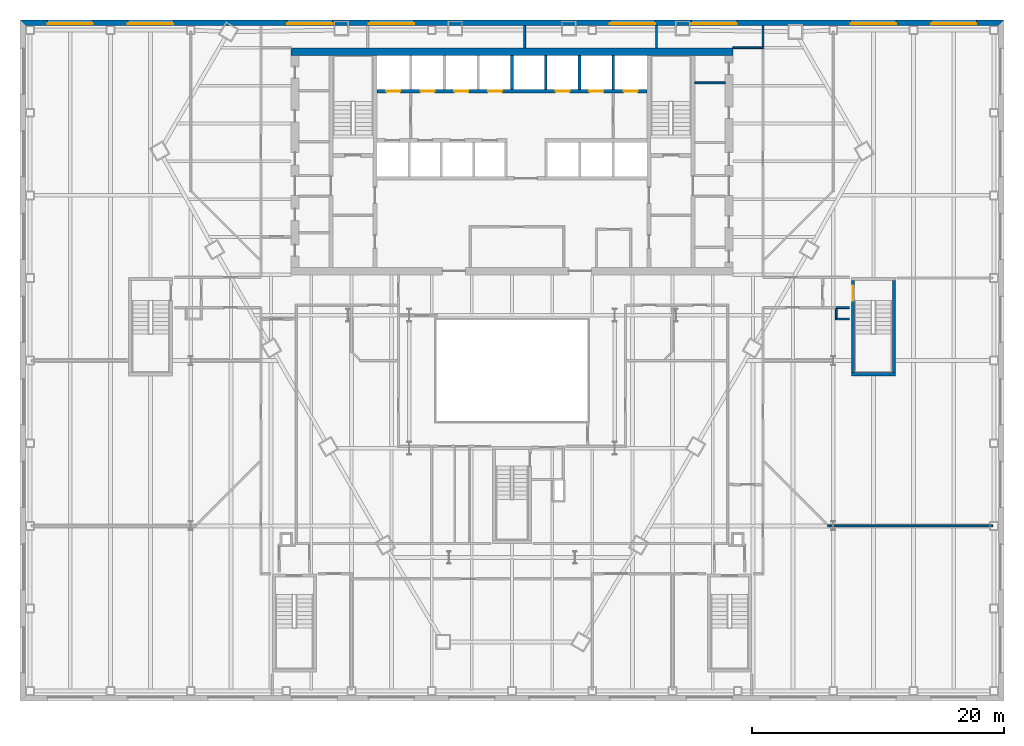
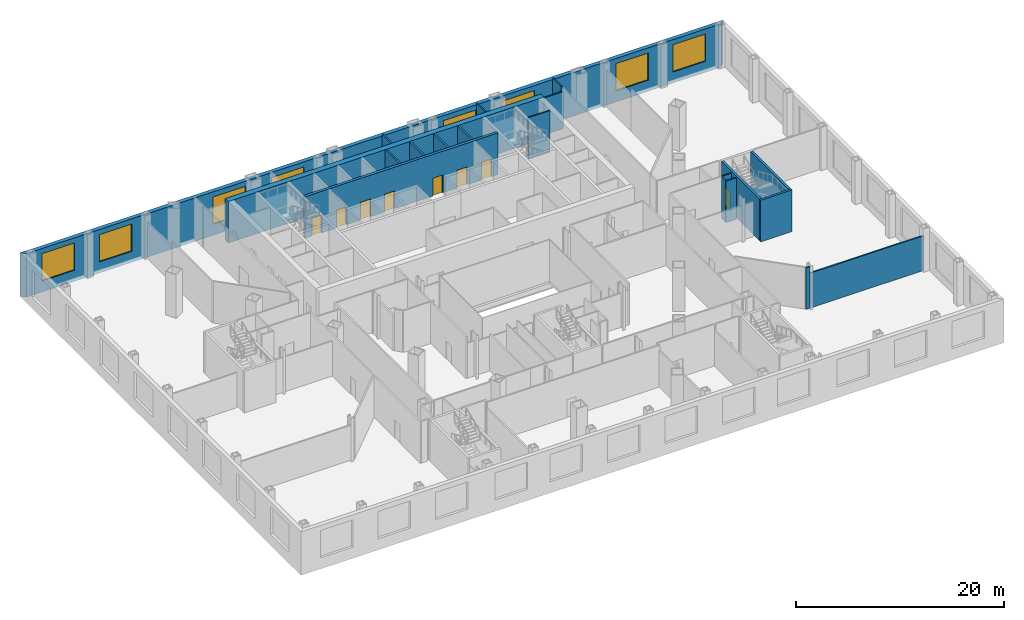
# One storey, part 13 of 20: 20 walls, 8 doors, 8 windows, 16 openings.
"""IFC4 building model written with IfcOpenShell, lengths in metres."""

from ifc_helpers import new_model, si_unit, direction, frame, frame_2d, origin, place, context, subcontext, project, spatial, polyline, rectangle, outline, extrude, material, layer, layer_set, type_object, element, fill, save


model = new_model("IFC4")

# Units and contexts
model_context = context("Model", 3, precision=1e-05, world=origin(), true_north=direction((0.0, 1.0)))
body_context = subcontext(model_context, "Body", "Model", "MODEL_VIEW")
ifc_project = project(units=[si_unit("LENGTHUNIT", "METRE"), si_unit("AREAUNIT", "SQUARE_METRE"), si_unit("VOLUMEUNIT", "CUBIC_METRE"), si_unit("PLANEANGLEUNIT", "RADIAN"), si_unit("MASSUNIT", "GRAM", prefix="KILO")], contexts=[model_context])

# Site, building, storey
site_placement = place(None, origin())
site = spatial("IfcSite", under=ifc_project, at=site_placement, CompositionType="ELEMENT")
building_placement = place(site_placement, origin())
building = spatial("IfcBuilding", under=site, at=building_placement, Name="Njiva Tower", CompositionType="ELEMENT")
storey_placement = place(building_placement, frame((0.0, 0.0, 18.6)))
storey = spatial("IfcBuildingStorey", under=building, at=storey_placement, Name="L03", CompositionType="ELEMENT", Elevation=18.6)

# Walls
ifc_material_1 = material(Name="Concrete C60/75", Category="concrete")
ifc_layer_1 = layer(ifc_material_1, 0.6)
ifc_layer_set_1 = layer_set([ifc_layer_1], Name="Concrete C60/75")
wall_type_1 = type_object("IfcWallType", Name="WT15 Core wall 600", PredefinedType="SHEAR", material=ifc_layer_set_1)
wall_1_placement = place(storey_placement, frame((-17.5, 17.7, 0.0), z_axis=(0.0, 0.0, 1.0), x_axis=(1.0, 0.0, 0.0)))
element("IfcWall", 1, at=wall_1_placement, inside=storey, type_object=wall_type_1, Name="Core wall north", PredefinedType="SHEAR", context=body_context, shape_type="SweptSolid", body=[
    extrude(rectangle(XDim=35.0, YDim=0.6, at=frame_2d((17.5, 0.0))), origin(), (0.0, 0.0, 1.0), 4.88),
])
ifc_material_2 = material(Name="Gypsum board on steel studs", Category="gypsum")
ifc_layer_2 = layer(ifc_material_2, 0.15)
ifc_layer_set_2 = layer_set([ifc_layer_2], Name="Gypsum board on steel studs")
wall_type_2 = type_object("IfcWallType", Name="WT21 Compartment wall 150", PredefinedType="PARTITIONING", material=ifc_layer_set_2)
wall_2_placement = place(storey_placement, frame((25.026, -19.9, 0.0), z_axis=(0.0, 0.0, 1.0), x_axis=(1.0, 0.0, 0.0)))
element("IfcWall", 2, at=wall_2_placement, inside=storey, type_object=wall_type_2, Name="Partition L03-P090", PredefinedType="PARTITIONING", context=body_context, shape_type="SweptSolid", body=[
    extrude(rectangle(XDim=0.441, YDim=0.15, at=frame_2d((0.2205, 0.0))), origin(), (0.0, 0.0, 1.0), 4.88),
])
wall_3_placement = place(storey_placement, frame((25.467, -19.9, 0.0), z_axis=(0.0, 0.0, 1.0), x_axis=(0.999999996867, 7.9157761e-05, 0.0)))
element("IfcWall", 3, at=wall_3_placement, inside=storey, type_object=wall_type_2, Name="Partition L03-P090A", PredefinedType="PARTITIONING", context=body_context, shape_type="SweptSolid", body=[
    extrude(rectangle(XDim=12.633, YDim=0.15, at=frame_2d((6.3165, 0.0))), origin(), (0.0, 0.0, 1.0), 4.09),
])
ifc_layer_3 = layer(ifc_material_2, 0.15)
ifc_layer_set_3 = layer_set([ifc_layer_3], Name="Gypsum board on steel studs")
wall_type_3 = type_object("IfcWallType", Name="WT24 Riser room wall 150", PredefinedType="PARTITIONING", material=ifc_layer_set_3)
for number, where, z_axis, x_axis, name in (
    (4, (1.0, 18.0, 0.0), (0.0, 0.0, 1.0), (0.0, 1.0, 0.0), "Partition L03-P052"),
    (5, (11.45, 18.0, 0.0), (0.0, 0.0, 1.0), (0.0, 1.0, 0.0), "Partition L03-P062"),
):
    element("IfcWall", number, at=place(storey_placement, frame(where, z_axis=z_axis, x_axis=x_axis)), inside=storey, type_object=wall_type_3, Name=name, PredefinedType="PARTITIONING", context=body_context, shape_type="SweptSolid", body=[
        extrude(rectangle(XDim=1.75, YDim=0.15, at=frame_2d((0.875, 0.0))), origin(), (0.0, 0.0, 1.0), 4.88),
    ])
wall_4_placement = place(storey_placement, frame((17.5, 18.0, 0.0), z_axis=(0.0, 0.0, 1.0), x_axis=(1.0, 0.0, 0.0)))
element("IfcWall", 6, at=wall_4_placement, inside=storey, type_object=wall_type_3, Name="Partition L03-P073", PredefinedType="PARTITIONING", context=body_context, shape_type="SweptSolid", body=[
    extrude(rectangle(XDim=2.475, YDim=0.15, at=frame_2d((1.2375, 0.0))), origin(), (0.0, 0.0, 1.0), 4.33),
])
wall_5_placement = place(storey_placement, frame((19.9, 18.075, 0.0), z_axis=(0.0, 0.0, 1.0), x_axis=(0.0, 1.0, 0.0)))
element("IfcWall", 7, at=wall_5_placement, inside=storey, type_object=wall_type_3, Name="Partition L03-P083", PredefinedType="PARTITIONING", context=body_context, shape_type="SweptSolid", body=[
    extrude(rectangle(XDim=1.675, YDim=0.15, at=frame_2d((0.8375, 0.0))), origin(), (0.0, 0.0, 1.0), 4.88),
])
wall_6_placement = place(storey_placement, frame((25.625, -3.5, 0.0), z_axis=(0.0, 0.0, 1.0), x_axis=(1.0, 0.0, 0.0)))
element("IfcWall", 8, at=wall_6_placement, inside=storey, type_object=wall_type_3, Name="Partition L03-P092", PredefinedType="PARTITIONING", context=body_context, shape_type="SweptSolid", body=[
    extrude(rectangle(XDim=1.125, YDim=0.15, at=frame_2d((0.5625, 0.0))), origin(), (0.0, 0.0, 1.0), 4.88),
])
wall_7_placement = place(storey_placement, frame((25.688, -2.6, 0.0), z_axis=(0.0, 0.0, 1.0), x_axis=(1.0, 0.0, 0.0)))
element("IfcWall", 9, at=wall_7_placement, inside=storey, type_object=wall_type_3, Name="Partition L03-P093", PredefinedType="PARTITIONING", context=body_context, shape_type="SweptSolid", body=[
    extrude(rectangle(XDim=1.062, YDim=0.15, at=frame_2d((0.531, 0.0))), origin(), (0.0, 0.0, 1.0), 4.88),
])
wall_8_placement = place(storey_placement, frame((25.7, -3.425, 0.0), z_axis=(0.0, 0.0, 1.0), x_axis=(0.0, 1.0, 0.0)))
element("IfcWall", 10, at=wall_8_placement, inside=storey, type_object=wall_type_3, Name="Partition L03-P094", PredefinedType="PARTITIONING", context=body_context, shape_type="SweptSolid", body=[
    extrude(rectangle(XDim=0.75, YDim=0.15, at=frame_2d((0.375, 0.0))), origin(), (0.0, 0.0, 1.0), 4.88),
])
ifc_material_3 = material(Name="Blockwork", Category="masonry")
ifc_layer_4 = layer(ifc_material_3, 0.15)
ifc_layer_set_4 = layer_set([ifc_layer_4], Name="Blockwork")
wall_type_4 = type_object("IfcWallType", Name="WT3 Riser partition 150", PredefinedType="PARTITIONING", material=ifc_layer_set_4)
wall_9_placement = place(storey_placement, frame((14.5, 15.2135, 0.0), z_axis=(0.0, 0.0, 1.0), x_axis=(1.0, 0.0, 0.0)))
element("IfcWall", 11, at=wall_9_placement, inside=storey, type_object=wall_type_4, Name="Partition strip E11", PredefinedType="PARTITIONING", context=body_context, shape_type="SweptSolid", body=[
    extrude(rectangle(XDim=2.4, YDim=0.15, at=frame_2d((1.2, 0.0))), origin(), (0.0, 0.0, 1.0), 4.88),
])
ifc_material_4 = material(Name="Concrete C40/50", Category="concrete")
ifc_layer_5 = layer(ifc_material_4, 0.2)
ifc_layer_set_5 = layer_set([ifc_layer_5], Name="Concrete C40/50")
wall_type_5 = type_object("IfcWallType", Name="WT6 Lift shaft wall 200", PredefinedType="SHEAR", material=ifc_layer_set_5)
for number, where, z_axis, x_axis, name in (
    (12, (0.0, 14.7, 0.0), (0.0, 0.0, 1.0), (0.0, 1.0, 0.0), "Shaft wall CN4"),
    (13, (2.675, 14.7, 0.0), (0.0, 0.0, 1.0), (0.0, 1.0, 0.0), "Shaft wall CN5"),
    (14, (5.35, 14.7, 0.0), (0.0, 0.0, 1.0), (0.0, 1.0, 0.0), "Shaft wall CN6"),
    (15, (8.025, 14.7, 0.0), (0.0, 0.0, 1.0), (0.0, 1.0, 0.0), "Shaft wall CN7"),
):
    element("IfcWall", number, at=place(storey_placement, frame(where, z_axis=z_axis, x_axis=x_axis)), inside=storey, type_object=wall_type_5, Name=name, PredefinedType="SHEAR", context=body_context, shape_type="SweptSolid", body=[
        extrude(rectangle(XDim=2.7, YDim=0.2, at=frame_2d((1.35, 0.0))), origin(), (0.0, 0.0, 1.0), 4.88),
    ])

# Wall, openings, doors
ifc_layer_6 = layer(ifc_material_4, 0.3)
ifc_layer_set_6 = layer_set([ifc_layer_6], Name="Concrete C40/50")
wall_type_6 = type_object("IfcWallType", Name="WT7 Lift shaft wall 300", PredefinedType="SHEAR", material=ifc_layer_set_6)
wall_10_placement = place(storey_placement, frame((-10.7, 14.55, 0.0), z_axis=(0.0, 0.0, 1.0), x_axis=(1.0, 0.0, 0.0)))
wall_10 = element("IfcWall", 16, at=wall_10_placement, inside=storey, type_object=wall_type_6, Name="Shaft wall north row lobby side", PredefinedType="SHEAR", context=body_context, shape_type="SweptSolid", body=[
    extrude(rectangle(XDim=21.4, YDim=0.3, at=frame_2d((10.7, 0.0))), origin(), (0.0, 0.0, 1.0), 4.88),
])
opening_1_placement = place(wall_10_placement, frame((0.7375, 0.0, 0.0)))
opening_1 = element("IfcOpeningElement", 17, at=opening_1_placement, cuts=wall_10, Name="Opening L03-D901", PredefinedType="OPENING", context=body_context, shape_type="SweptSolid", body=[
    extrude(rectangle(XDim=1.1, YDim=2.1, at=frame_2d((0.55, 1.05))), frame((0.0, 0.16, 0.0), z_axis=(0.0, -1.0, 0.0), x_axis=(1.0, 0.0, 0.0)), (0.0, 0.0, 1.0), 0.32),
])
opening_2_placement = place(wall_10_placement, frame((3.4625, 0.0, 0.0)))
opening_2 = element("IfcOpeningElement", 18, at=opening_2_placement, cuts=wall_10, Name="Opening L03-D902", PredefinedType="OPENING", context=body_context, shape_type="SweptSolid", body=[
    extrude(rectangle(XDim=1.1, YDim=2.1, at=frame_2d((0.55, 1.05))), frame((0.0, 0.16, 0.0), z_axis=(0.0, -1.0, 0.0), x_axis=(1.0, 0.0, 0.0)), (0.0, 0.0, 1.0), 0.32),
])
opening_3_placement = place(wall_10_placement, frame((6.1375, 0.0, 0.0)))
opening_3 = element("IfcOpeningElement", 19, at=opening_3_placement, cuts=wall_10, Name="Opening L03-D903", PredefinedType="OPENING", context=body_context, shape_type="SweptSolid", body=[
    extrude(rectangle(XDim=1.1, YDim=2.1, at=frame_2d((0.55, 1.05))), frame((0.0, 0.16, 0.0), z_axis=(0.0, -1.0, 0.0), x_axis=(1.0, 0.0, 0.0)), (0.0, 0.0, 1.0), 0.32),
])
opening_4_placement = place(wall_10_placement, frame((8.8125, 0.0, 0.0)))
opening_4 = element("IfcOpeningElement", 20, at=opening_4_placement, cuts=wall_10, Name="Opening L03-D904", PredefinedType="OPENING", context=body_context, shape_type="SweptSolid", body=[
    extrude(rectangle(XDim=1.1, YDim=2.1, at=frame_2d((0.55, 1.05))), frame((0.0, 0.16, 0.0), z_axis=(0.0, -1.0, 0.0), x_axis=(1.0, 0.0, 0.0)), (0.0, 0.0, 1.0), 0.32),
])
opening_5_placement = place(wall_10_placement, frame((14.1625, 0.0, 0.0)))
opening_5 = element("IfcOpeningElement", 21, at=opening_5_placement, cuts=wall_10, Name="Opening L03-D905", PredefinedType="OPENING", context=body_context, shape_type="SweptSolid", body=[
    extrude(rectangle(XDim=1.1, YDim=2.1, at=frame_2d((0.55, 1.05))), frame((0.0, 0.16, 0.0), z_axis=(0.0, -1.0, 0.0), x_axis=(1.0, 0.0, 0.0)), (0.0, 0.0, 1.0), 0.32),
])
opening_6_placement = place(wall_10_placement, frame((16.8375, 0.0, 0.0)))
opening_6 = element("IfcOpeningElement", 22, at=opening_6_placement, cuts=wall_10, Name="Opening L03-D906", PredefinedType="OPENING", context=body_context, shape_type="SweptSolid", body=[
    extrude(rectangle(XDim=1.1, YDim=2.1, at=frame_2d((0.55, 1.05))), frame((0.0, 0.16, 0.0), z_axis=(0.0, -1.0, 0.0), x_axis=(1.0, 0.0, 0.0)), (0.0, 0.0, 1.0), 0.32),
])
opening_7_placement = place(wall_10_placement, frame((19.5625, 0.0, 0.0)))
opening_7 = element("IfcOpeningElement", 23, at=opening_7_placement, cuts=wall_10, Name="Opening L03-D907", PredefinedType="OPENING", context=body_context, shape_type="SweptSolid", body=[
    extrude(rectangle(XDim=1.1, YDim=2.1, at=frame_2d((0.55, 1.05))), frame((0.0, 0.16, 0.0), z_axis=(0.0, -1.0, 0.0), x_axis=(1.0, 0.0, 0.0)), (0.0, 0.0, 1.0), 0.32),
])
ifc_material_5 = material(Name="Stainless steel sliding door", Category="steel")
door_type_1 = type_object("IfcDoorType", Name="LD Lift landing door 1100x2100", OperationType="SLIDING_TO_LEFT", PredefinedType="DOOR", material=ifc_material_5)
door_1_placement = place(opening_1_placement, origin())
door_1 = element("IfcDoor", 24, at=door_1_placement, inside=storey, type_object=door_type_1, Name="Lift landing door FF1", OperationType="SLIDING_TO_LEFT", OverallHeight=2.1, OverallWidth=1.1, PredefinedType="DOOR", context=body_context, shape_type="SweptSolid", body=[
    extrude(rectangle(XDim=1.1, YDim=2.1, at=frame_2d((0.55, 1.05))), frame((0.0, 0.025, 0.0), z_axis=(0.0, -1.0, 0.0), x_axis=(1.0, 0.0, 0.0)), (0.0, 0.0, 1.0), 0.05),
])
fill(opening_1, door_1)
door_2_placement = place(opening_2_placement, origin())
door_2 = element("IfcDoor", 25, at=door_2_placement, inside=storey, type_object=door_type_1, Name="Lift landing door LB1", OperationType="SLIDING_TO_LEFT", OverallHeight=2.1, OverallWidth=1.1, PredefinedType="DOOR", context=body_context, shape_type="SweptSolid", body=[
    extrude(rectangle(XDim=1.1, YDim=2.1, at=frame_2d((0.55, 1.05))), frame((0.0, 0.025, 0.0), z_axis=(0.0, -1.0, 0.0), x_axis=(1.0, 0.0, 0.0)), (0.0, 0.0, 1.0), 0.05),
])
fill(opening_2, door_2)
door_3_placement = place(opening_3_placement, origin())
door_3 = element("IfcDoor", 26, at=door_3_placement, inside=storey, type_object=door_type_1, Name="Lift landing door LB2", OperationType="SLIDING_TO_LEFT", OverallHeight=2.1, OverallWidth=1.1, PredefinedType="DOOR", context=body_context, shape_type="SweptSolid", body=[
    extrude(rectangle(XDim=1.1, YDim=2.1, at=frame_2d((0.55, 1.05))), frame((0.0, 0.025, 0.0), z_axis=(0.0, -1.0, 0.0), x_axis=(1.0, 0.0, 0.0)), (0.0, 0.0, 1.0), 0.05),
])
fill(opening_3, door_3)
door_4_placement = place(opening_4_placement, origin())
door_4 = element("IfcDoor", 27, at=door_4_placement, inside=storey, type_object=door_type_1, Name="Lift landing door LB3", OperationType="SLIDING_TO_LEFT", OverallHeight=2.1, OverallWidth=1.1, PredefinedType="DOOR", context=body_context, shape_type="SweptSolid", body=[
    extrude(rectangle(XDim=1.1, YDim=2.1, at=frame_2d((0.55, 1.05))), frame((0.0, 0.025, 0.0), z_axis=(0.0, -1.0, 0.0), x_axis=(1.0, 0.0, 0.0)), (0.0, 0.0, 1.0), 0.05),
])
fill(opening_4, door_4)
door_5_placement = place(opening_5_placement, origin())
door_5 = element("IfcDoor", 28, at=door_5_placement, inside=storey, type_object=door_type_1, Name="Lift landing door FR1", OperationType="SLIDING_TO_LEFT", OverallHeight=2.1, OverallWidth=1.1, PredefinedType="DOOR", context=body_context, shape_type="SweptSolid", body=[
    extrude(rectangle(XDim=1.1, YDim=2.1, at=frame_2d((0.55, 1.05))), frame((0.0, 0.025, 0.0), z_axis=(0.0, -1.0, 0.0), x_axis=(1.0, 0.0, 0.0)), (0.0, 0.0, 1.0), 0.05),
])
fill(opening_5, door_5)
door_6_placement = place(opening_6_placement, origin())
door_6 = element("IfcDoor", 29, at=door_6_placement, inside=storey, type_object=door_type_1, Name="Lift landing door FR2", OperationType="SLIDING_TO_LEFT", OverallHeight=2.1, OverallWidth=1.1, PredefinedType="DOOR", context=body_context, shape_type="SweptSolid", body=[
    extrude(rectangle(XDim=1.1, YDim=2.1, at=frame_2d((0.55, 1.05))), frame((0.0, 0.025, 0.0), z_axis=(0.0, -1.0, 0.0), x_axis=(1.0, 0.0, 0.0)), (0.0, 0.0, 1.0), 0.05),
])
fill(opening_6, door_6)
door_7_placement = place(opening_7_placement, origin())
door_7 = element("IfcDoor", 30, at=door_7_placement, inside=storey, type_object=door_type_1, Name="Lift landing door FF2", OperationType="SLIDING_TO_LEFT", OverallHeight=2.1, OverallWidth=1.1, PredefinedType="DOOR", context=body_context, shape_type="SweptSolid", body=[
    extrude(rectangle(XDim=1.1, YDim=2.1, at=frame_2d((0.55, 1.05))), frame((0.0, 0.025, 0.0), z_axis=(0.0, -1.0, 0.0), x_axis=(1.0, 0.0, 0.0)), (0.0, 0.0, 1.0), 0.05),
])
fill(opening_7, door_7)

# Wall, opening, door
ifc_layer_7 = layer(ifc_material_4, 0.25)
ifc_layer_set_7 = layer_set([ifc_layer_7], Name="Concrete C40/50")
wall_type_7 = type_object("IfcWallType", Name="WT9 Stair enclosure wall 250", PredefinedType="SHEAR", material=ifc_layer_set_7)
wall_11_placement = place(storey_placement, frame((27.025, -7.75, 0.0), z_axis=(0.0, 0.0, 1.0), x_axis=(0.0, 1.0, 0.0)))
wall_11 = element("IfcWall", 31, at=wall_11_placement, inside=storey, type_object=wall_type_7, Name="Stair G wall west", PredefinedType="SHEAR", context=body_context, shape_type="SweptSolid", body=[
    extrude(rectangle(XDim=7.3, YDim=0.25, at=frame_2d((3.65, 0.0))), origin(), (0.0, 0.0, 1.0), 4.88),
])
opening_8_placement = place(wall_11_placement, frame((5.7, 0.0, 0.0)))
opening_8 = element("IfcOpeningElement", 32, at=opening_8_placement, cuts=wall_11, Name="Opening L03-D944", PredefinedType="OPENING", context=body_context, shape_type="SweptSolid", body=[
    extrude(rectangle(XDim=1.2, YDim=2.1, at=frame_2d((0.6, 1.05))), frame((0.0, 0.135, 0.0), z_axis=(0.0, -1.0, 0.0), x_axis=(1.0, 0.0, 0.0)), (0.0, 0.0, 1.0), 0.27),
])
ifc_material_6 = material(Name="Steel door, painted", Category="steel")
door_type_2 = type_object("IfcDoorType", Name="D1 Stair door 1200x2100", OperationType="SINGLE_SWING_LEFT", PredefinedType="DOOR", material=ifc_material_6)
door_8_placement = place(opening_8_placement, origin())
door_8 = element("IfcDoor", 33, at=door_8_placement, inside=storey, type_object=door_type_2, Name="Stair G door", OperationType="SINGLE_SWING_RIGHT", OverallHeight=2.1, OverallWidth=1.2, PredefinedType="DOOR", context=body_context, shape_type="SweptSolid", body=[
    extrude(rectangle(XDim=1.2, YDim=2.1, at=frame_2d((0.6, 1.05))), frame((0.0, 0.025, 0.0), z_axis=(0.0, -1.0, 0.0), x_axis=(1.0, 0.0, 0.0)), (0.0, 0.0, 1.0), 0.05),
])
fill(opening_8, door_8)

# Walls
wall_12_placement = place(storey_placement, frame((30.275, -7.75, 0.0), z_axis=(0.0, 0.0, 1.0), x_axis=(0.0, 1.0, 0.0)))
element("IfcWall", 34, at=wall_12_placement, inside=storey, type_object=wall_type_7, Name="Stair G wall east", PredefinedType="SHEAR", context=body_context, shape_type="SweptSolid", body=[
    extrude(rectangle(XDim=7.3, YDim=0.25, at=frame_2d((3.65, 0.0))), origin(), (0.0, 0.0, 1.0), 4.88),
])
wall_13_placement = place(storey_placement, frame((26.9, -7.875, 0.0), z_axis=(0.0, 0.0, 1.0), x_axis=(1.0, 0.0, 0.0)))
element("IfcWall", 35, at=wall_13_placement, inside=storey, type_object=wall_type_7, Name="Stair G wall south", PredefinedType="SHEAR", context=body_context, shape_type="SweptSolid", body=[
    extrude(rectangle(XDim=3.5, YDim=0.25, at=frame_2d((1.75, 0.0))), origin(), (0.0, 0.0, 1.0), 4.88),
])

# Wall, openings, windows
ifc_material_7 = material(Name="Brick masonry", Category="masonry")
ifc_layer_8 = layer(ifc_material_7, 0.45)
ifc_layer_set_8 = layer_set([ifc_layer_8], Name="Brick masonry")
wall_type_8 = type_object("IfcWallType", Name="WT90 Brick pier and spandrel wall 450", PredefinedType="SOLIDWALL", material=ifc_layer_set_8)
wall_14_placement = place(storey_placement, frame((38.775, 19.975, -0.4), z_axis=(0.0, 0.0, 1.0), x_axis=(-1.0, 0.0, 0.0)))
wall_14 = element("IfcWall", 36, at=wall_14_placement, inside=storey, type_object=wall_type_8, Name="Podium wall N", PredefinedType="SOLIDWALL", context=body_context, shape_type="SweptSolid", body=[
    extrude(outline(polyline([(-0.225, -0.225), (77.775, -0.225), (77.325, 0.225), (0.225, 0.225), (-0.225, -0.225)])), origin(), (0.0, 0.0, 1.0), 5.1),
])
opening_9_placement = place(wall_14_placement, frame((1.9584, 0.0, 1.3)))
opening_9 = element("IfcOpeningElement", 37, at=opening_9_placement, cuts=wall_14, Name="Opening L03-W09", PredefinedType="OPENING", context=body_context, shape_type="SweptSolid", body=[
    extrude(rectangle(XDim=3.6, YDim=3.2, at=frame_2d((1.8, 1.6))), frame((0.0, 0.235, 0.0), z_axis=(0.0, -1.0, 0.0), x_axis=(1.0, 0.0, 0.0)), (0.0, 0.0, 1.0), 0.47),
])
opening_10_placement = place(wall_14_placement, frame((8.325, 0.0, 1.3)))
opening_10 = element("IfcOpeningElement", 38, at=opening_10_placement, cuts=wall_14, Name="Opening L03-W10", PredefinedType="OPENING", context=body_context, shape_type="SweptSolid", body=[
    extrude(rectangle(XDim=3.6, YDim=3.2, at=frame_2d((1.8, 1.6))), frame((0.0, 0.235, 0.0), z_axis=(0.0, -1.0, 0.0), x_axis=(1.0, 0.0, 0.0)), (0.0, 0.0, 1.0), 0.47),
])
opening_11_placement = place(wall_14_placement, frame((20.952, 0.0, 1.3)))
opening_11 = element("IfcOpeningElement", 39, at=opening_11_placement, cuts=wall_14, Name="Opening L03-W11", PredefinedType="OPENING", context=body_context, shape_type="SweptSolid", body=[
    extrude(rectangle(XDim=3.6, YDim=3.2, at=frame_2d((1.8, 1.6))), frame((0.0, 0.235, 0.0), z_axis=(0.0, -1.0, 0.0), x_axis=(1.0, 0.0, 0.0)), (0.0, 0.0, 1.0), 0.47),
])
opening_12_placement = place(wall_14_placement, frame((27.425, 0.0, 1.3)))
opening_12 = element("IfcOpeningElement", 40, at=opening_12_placement, cuts=wall_14, Name="Opening L03-W12", PredefinedType="OPENING", context=body_context, shape_type="SweptSolid", body=[
    extrude(rectangle(XDim=3.6, YDim=3.2, at=frame_2d((1.8, 1.6))), frame((0.0, 0.235, 0.0), z_axis=(0.0, -1.0, 0.0), x_axis=(1.0, 0.0, 0.0)), (0.0, 0.0, 1.0), 0.47),
])
opening_13_placement = place(wall_14_placement, frame((46.525, 0.0, 1.3)))
opening_13 = element("IfcOpeningElement", 41, at=opening_13_placement, cuts=wall_14, Name="Opening L03-W13", PredefinedType="OPENING", context=body_context, shape_type="SweptSolid", body=[
    extrude(rectangle(XDim=3.6, YDim=3.2, at=frame_2d((1.8, 1.6))), frame((0.0, 0.235, 0.0), z_axis=(0.0, -1.0, 0.0), x_axis=(1.0, 0.0, 0.0)), (0.0, 0.0, 1.0), 0.47),
])
opening_14_placement = place(wall_14_placement, frame((52.998, 0.0, 1.3)))
opening_14 = element("IfcOpeningElement", 42, at=opening_14_placement, cuts=wall_14, Name="Opening L03-W14", PredefinedType="OPENING", context=body_context, shape_type="SweptSolid", body=[
    extrude(rectangle(XDim=3.6, YDim=3.2, at=frame_2d((1.8, 1.6))), frame((0.0, 0.235, 0.0), z_axis=(0.0, -1.0, 0.0), x_axis=(1.0, 0.0, 0.0)), (0.0, 0.0, 1.0), 0.47),
])
opening_15_placement = place(wall_14_placement, frame((65.625, 0.0, 1.3)))
opening_15 = element("IfcOpeningElement", 43, at=opening_15_placement, cuts=wall_14, Name="Opening L03-W15", PredefinedType="OPENING", context=body_context, shape_type="SweptSolid", body=[
    extrude(rectangle(XDim=3.6, YDim=3.2, at=frame_2d((1.8, 1.6))), frame((0.0, 0.235, 0.0), z_axis=(0.0, -1.0, 0.0), x_axis=(1.0, 0.0, 0.0)), (0.0, 0.0, 1.0), 0.47),
])
opening_16_placement = place(wall_14_placement, frame((71.9917, 0.0, 1.3)))
opening_16 = element("IfcOpeningElement", 44, at=opening_16_placement, cuts=wall_14, Name="Opening L03-W16", PredefinedType="OPENING", context=body_context, shape_type="SweptSolid", body=[
    extrude(rectangle(XDim=3.6, YDim=3.2, at=frame_2d((1.8, 1.6))), frame((0.0, 0.235, 0.0), z_axis=(0.0, -1.0, 0.0), x_axis=(1.0, 0.0, 0.0)), (0.0, 0.0, 1.0), 0.47),
])
ifc_material_8 = material(Name="Clear glazing in aluminium frame", Category="aluminium")
window_type = type_object("IfcWindowType", Name="W98 Deep-set window 3600x3200", PartitioningType="SINGLE_PANEL", PredefinedType="WINDOW", material=ifc_material_8)
window_1_placement = place(opening_9_placement, origin())
window_1 = element("IfcWindow", 45, at=window_1_placement, inside=storey, type_object=window_type, Name="Window", OverallHeight=3.2, OverallWidth=3.6, PartitioningType="SINGLE_PANEL", PredefinedType="WINDOW", context=body_context, shape_type="SweptSolid", body=[
    extrude(rectangle(XDim=3.6, YDim=3.2, at=frame_2d((1.8, 1.6))), frame((0.0, 0.105, 0.0), z_axis=(0.0, -1.0, 0.0), x_axis=(1.0, 0.0, 0.0)), (0.0, 0.0, 1.0), 0.06),
])
fill(opening_9, window_1)
window_2_placement = place(opening_10_placement, origin())
window_2 = element("IfcWindow", 46, at=window_2_placement, inside=storey, type_object=window_type, Name="Window", OverallHeight=3.2, OverallWidth=3.6, PartitioningType="SINGLE_PANEL", PredefinedType="WINDOW", context=body_context, shape_type="SweptSolid", body=[
    extrude(rectangle(XDim=3.6, YDim=3.2, at=frame_2d((1.8, 1.6))), frame((0.0, 0.105, 0.0), z_axis=(0.0, -1.0, 0.0), x_axis=(1.0, 0.0, 0.0)), (0.0, 0.0, 1.0), 0.06),
])
fill(opening_10, window_2)
window_3_placement = place(opening_11_placement, origin())
window_3 = element("IfcWindow", 47, at=window_3_placement, inside=storey, type_object=window_type, Name="Window", OverallHeight=3.2, OverallWidth=3.6, PartitioningType="SINGLE_PANEL", PredefinedType="WINDOW", context=body_context, shape_type="SweptSolid", body=[
    extrude(rectangle(XDim=3.6, YDim=3.2, at=frame_2d((1.8, 1.6))), frame((0.0, 0.105, 0.0), z_axis=(0.0, -1.0, 0.0), x_axis=(1.0, 0.0, 0.0)), (0.0, 0.0, 1.0), 0.06),
])
fill(opening_11, window_3)
window_4_placement = place(opening_12_placement, origin())
window_4 = element("IfcWindow", 48, at=window_4_placement, inside=storey, type_object=window_type, Name="Window", OverallHeight=3.2, OverallWidth=3.6, PartitioningType="SINGLE_PANEL", PredefinedType="WINDOW", context=body_context, shape_type="SweptSolid", body=[
    extrude(rectangle(XDim=3.6, YDim=3.2, at=frame_2d((1.8, 1.6))), frame((0.0, 0.105, 0.0), z_axis=(0.0, -1.0, 0.0), x_axis=(1.0, 0.0, 0.0)), (0.0, 0.0, 1.0), 0.06),
])
fill(opening_12, window_4)
window_5_placement = place(opening_13_placement, origin())
window_5 = element("IfcWindow", 49, at=window_5_placement, inside=storey, type_object=window_type, Name="Window", OverallHeight=3.2, OverallWidth=3.6, PartitioningType="SINGLE_PANEL", PredefinedType="WINDOW", context=body_context, shape_type="SweptSolid", body=[
    extrude(rectangle(XDim=3.6, YDim=3.2, at=frame_2d((1.8, 1.6))), frame((0.0, 0.105, 0.0), z_axis=(0.0, -1.0, 0.0), x_axis=(1.0, 0.0, 0.0)), (0.0, 0.0, 1.0), 0.06),
])
fill(opening_13, window_5)
window_6_placement = place(opening_14_placement, origin())
window_6 = element("IfcWindow", 50, at=window_6_placement, inside=storey, type_object=window_type, Name="Window", OverallHeight=3.2, OverallWidth=3.6, PartitioningType="SINGLE_PANEL", PredefinedType="WINDOW", context=body_context, shape_type="SweptSolid", body=[
    extrude(rectangle(XDim=3.6, YDim=3.2, at=frame_2d((1.8, 1.6))), frame((0.0, 0.105, 0.0), z_axis=(0.0, -1.0, 0.0), x_axis=(1.0, 0.0, 0.0)), (0.0, 0.0, 1.0), 0.06),
])
fill(opening_14, window_6)
window_7_placement = place(opening_15_placement, origin())
window_7 = element("IfcWindow", 51, at=window_7_placement, inside=storey, type_object=window_type, Name="Window", OverallHeight=3.2, OverallWidth=3.6, PartitioningType="SINGLE_PANEL", PredefinedType="WINDOW", context=body_context, shape_type="SweptSolid", body=[
    extrude(rectangle(XDim=3.6, YDim=3.2, at=frame_2d((1.8, 1.6))), frame((0.0, 0.105, 0.0), z_axis=(0.0, -1.0, 0.0), x_axis=(1.0, 0.0, 0.0)), (0.0, 0.0, 1.0), 0.06),
])
fill(opening_15, window_7)
window_8_placement = place(opening_16_placement, origin())
window_8 = element("IfcWindow", 52, at=window_8_placement, inside=storey, type_object=window_type, Name="Window", OverallHeight=3.2, OverallWidth=3.6, PartitioningType="SINGLE_PANEL", PredefinedType="WINDOW", context=body_context, shape_type="SweptSolid", body=[
    extrude(rectangle(XDim=3.6, YDim=3.2, at=frame_2d((1.8, 1.6))), frame((0.0, 0.105, 0.0), z_axis=(0.0, -1.0, 0.0), x_axis=(1.0, 0.0, 0.0)), (0.0, 0.0, 1.0), 0.06),
])
fill(opening_16, window_8)

save(model, "model.ifc")
